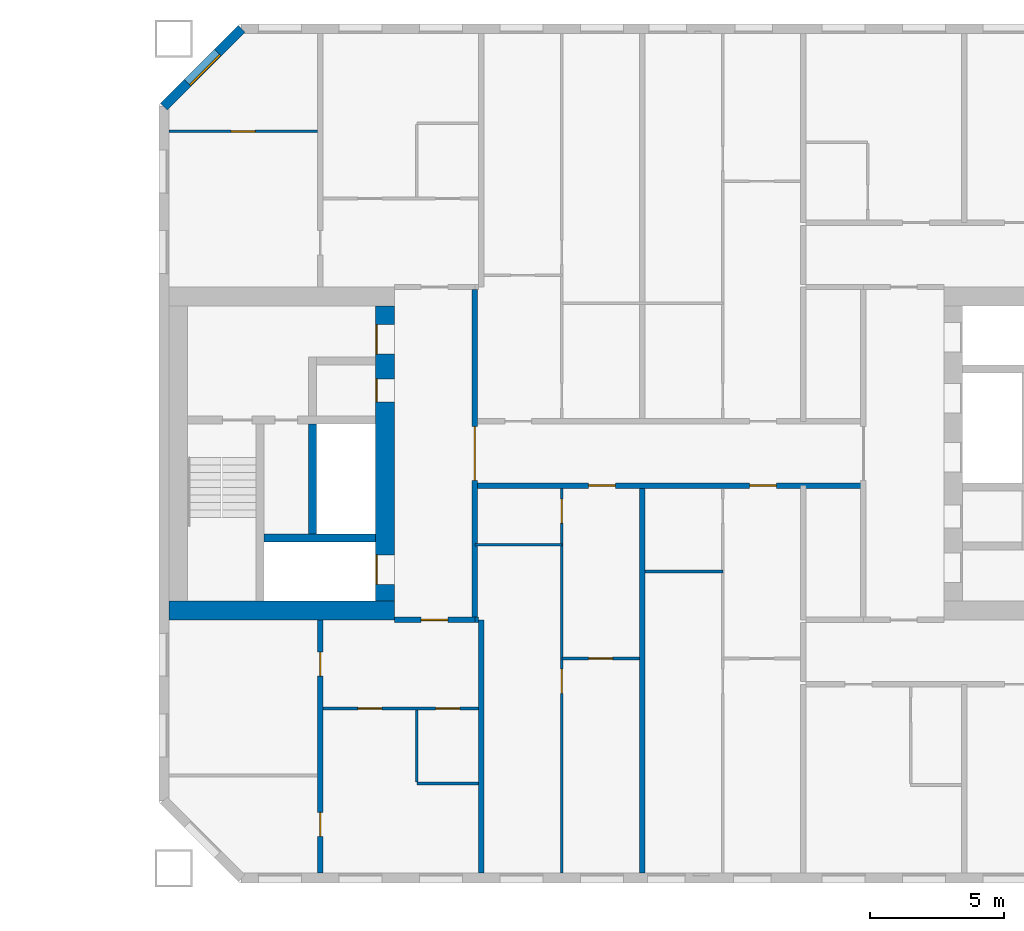
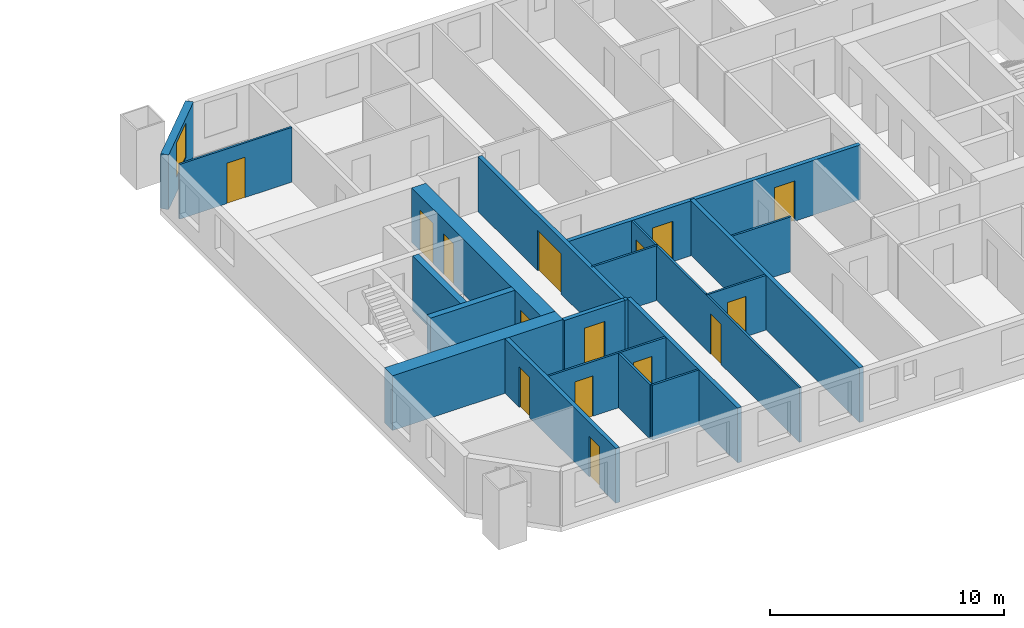
# One storey, part 9 of 16: 20 walls, 15 doors, 1 window, 16 openings.
"""IFC4 building model written with IfcOpenShell, lengths in metres."""

from ifc_helpers import new_model, si_unit, direction, frame, frame_2d, origin, place, context, subcontext, project, spatial, rectangle, extrude, material, layer, layer_set, type_object, element, fill, save


model = new_model("IFC4")

# Units and contexts
model_context = context("Model", 3, precision=1e-05, world=origin(), true_north=direction((0.0, 1.0)))
body_context = subcontext(model_context, "Body", "Model", "MODEL_VIEW")
ifc_project = project(units=[si_unit("LENGTHUNIT", "METRE"), si_unit("AREAUNIT", "SQUARE_METRE"), si_unit("VOLUMEUNIT", "CUBIC_METRE"), si_unit("PLANEANGLEUNIT", "RADIAN"), si_unit("MASSUNIT", "GRAM", prefix="KILO")], contexts=[model_context])

# Site, building, storey
site_placement = place(None, origin())
site = spatial("IfcSite", under=ifc_project, at=site_placement, CompositionType="ELEMENT")
building_placement = place(site_placement, origin())
building = spatial("IfcBuilding", under=site, at=building_placement, Name="Tuart Gate Housing", CompositionType="ELEMENT")
storey_placement = place(building_placement, frame((0.0, 0.0, 87.10009765625)))
storey = spatial("IfcBuildingStorey", under=building, at=storey_placement, Name="L24", CompositionType="ELEMENT", Elevation=87.10009765625)

# Wall, opening, window
ifc_material_1 = material(Name="Brick", Category="masonry")
ifc_layer_1 = layer(ifc_material_1, 0.360107421875)
ifc_layer_set_1 = layer_set([ifc_layer_1], Name="Brick pier and spandrel wall 360")
wall_type_1 = type_object("IfcWallType", Name="Brick pier and spandrel wall 360", PredefinedType="STANDARD", material=ifc_layer_set_1)
wall_1_placement = place(storey_placement, frame((134.07470703125, 85.820068359375, 0.0), z_axis=(0.0, 0.0, 1.0), x_axis=(-0.707106781187, -0.707106781187, 0.0)))
wall_1 = element("IfcWall", 1, at=wall_1_placement, inside=storey, type_object=wall_type_1, Name="External wall B-NW L24", PredefinedType="STANDARD", context=body_context, shape_type="SweptSolid", body=[
    extrude(rectangle(XDim=4.09375, YDim=0.360107421875, at=frame_2d((2.046875, 0.0))), origin(), (0.0, 0.0, 1.0), 2.849853515625),
])
opening_1_placement = place(wall_1_placement, frame((1.2470703125, 0.0, 0.800048828125)))
opening_1 = element("IfcOpeningElement", 2, at=opening_1_placement, cuts=wall_1, Name="Opening W1", PredefinedType="OPENING", context=body_context, shape_type="SweptSolid", body=[
    extrude(rectangle(XDim=1.60009765625, YDim=1.800048828125, at=frame_2d((0.800048828125, 0.89990234375))), frame((0.0, 0.18994140625, 0.0), z_axis=(0.0, -1.0, 0.0), x_axis=(1.0, 0.0, 0.0)), (0.0, 0.0, 1.0), 0.380126953125),
])
ifc_material_2 = material(Name="Aluminium frame with clear glass", Category="aluminium")
window_type = type_object("IfcWindowType", Name="Punched window 1600 x 1800", PartitioningType="SINGLE_PANEL", PredefinedType="WINDOW", material=ifc_material_2)
window_placement = place(opening_1_placement, origin())
window = element("IfcWindow", 3, at=window_placement, inside=storey, type_object=window_type, Name="Window W1", OverallHeight=1.800048828125, OverallWidth=1.60009765625, PartitioningType="SINGLE_PANEL", PredefinedType="WINDOW", context=body_context, shape_type="SweptSolid", body=[
    extrude(rectangle(XDim=1.60009765625, YDim=1.800048828125, at=frame_2d((0.800048828125, 0.89990234375))), frame((0.0, 0.150146484375, 0.0), z_axis=(0.0, -1.0, 0.0), x_axis=(1.0, 0.0, 0.0)), (0.0, 0.0, 1.0), 0.06005859375),
])
fill(opening_1, window)

# Walls
ifc_material_3 = material(Name="Concrete C50", Category="concrete")
ifc_layer_2 = layer(ifc_material_3, 0.300048828125)
ifc_layer_set_2 = layer_set([ifc_layer_2], Name="Core wall 300 C50")
wall_type_2 = type_object("IfcWallType", Name="Core wall 300 C50", PredefinedType="SHEAR", material=ifc_layer_set_2)
wall_2_placement = place(storey_placement, frame((139.06005859375, 66.85009765625, 0.0), z_axis=(0.0, 0.0, 1.0), x_axis=(-1.0, 0.0, 0.0)))
element("IfcWall", 4, at=wall_2_placement, inside=storey, type_object=wall_type_2, Name="Core wall BG.1", PredefinedType="SHEAR", context=body_context, shape_type="SweptSolid", body=[
    extrude(rectangle(XDim=4.150146484375, YDim=0.300048828125, at=frame_2d((2.0751953125, 0.0))), origin(), (0.0, 0.0, 1.0), 2.849853515625),
])
wall_3_placement = place(storey_placement, frame((136.7099609375, 67.0, 0.0), z_axis=(0.0, 0.0, 1.0), x_axis=(0.0, 1.0, 0.0)))
element("IfcWall", 5, at=wall_3_placement, inside=storey, type_object=wall_type_2, Name="Core wall BG.4", PredefinedType="SHEAR", context=body_context, shape_type="SweptSolid", body=[
    extrude(rectangle(XDim=4.10009765625, YDim=0.300048828125, at=frame_2d((2.050048828125, 0.0))), origin(), (0.0, 0.0, 1.0), 2.849853515625),
])

# Wall, openings, doors
ifc_material_4 = material(Name="Concrete C50", Category="concrete")
ifc_layer_3 = layer(ifc_material_4, 0.699951171875)
ifc_layer_set_3 = layer_set([ifc_layer_3], Name="Core wall 700 C50")
wall_type_3 = type_object("IfcWallType", Name="Core wall 700 C50", PredefinedType="SHEAR", material=ifc_layer_set_3)
wall_4_placement = place(storey_placement, frame((139.409912109375, 64.5, 0.0), z_axis=(0.0, 0.0, 1.0), x_axis=(0.0, 1.0, 0.0)))
wall_4 = element("IfcWall", 6, at=wall_4_placement, inside=storey, type_object=wall_type_3, Name="Core wall BG front", PredefinedType="SHEAR", context=body_context, shape_type="SweptSolid", body=[
    extrude(rectangle(XDim=11.0, YDim=0.699951171875, at=frame_2d((5.5, 0.0))), origin(), (0.0, 0.0, 1.0), 2.849853515625),
])
opening_2_placement = place(wall_4_placement, frame((0.625, 0.0, 0.0)))
opening_2 = element("IfcOpeningElement", 7, at=opening_2_placement, cuts=wall_4, Name="Opening LD-FB1", PredefinedType="OPENING", context=body_context, shape_type="SweptSolid", body=[
    extrude(rectangle(XDim=1.10009765625, YDim=2.10009765625, at=frame_2d((0.550048828125, 1.050048828125))), frame((0.0, 0.35986328125, 0.0), z_axis=(0.0, -1.0, 0.0), x_axis=(1.0, 0.0, 0.0)), (0.0, 0.0, 1.0), 0.719970703125),
])
opening_3_placement = place(wall_4_placement, frame((9.199951171875, 0.0, 0.0)))
opening_3 = element("IfcOpeningElement", 8, at=opening_3_placement, cuts=wall_4, Name="Opening D1035", PredefinedType="OPENING", context=body_context, shape_type="SweptSolid", body=[
    extrude(rectangle(XDim=1.10009765625, YDim=2.10009765625, at=frame_2d((0.550048828125, 1.050048828125))), frame((0.0, 0.35986328125, 0.0), z_axis=(0.0, -1.0, 0.0), x_axis=(1.0, 0.0, 0.0)), (0.0, 0.0, 1.0), 0.719970703125),
])
opening_4_placement = place(wall_4_placement, frame((7.425048828125, 0.0, 0.0)))
opening_4 = element("IfcOpeningElement", 9, at=opening_4_placement, cuts=wall_4, Name="Opening D1036", PredefinedType="OPENING", context=body_context, shape_type="SweptSolid", body=[
    extrude(rectangle(XDim=0.85009765625, YDim=2.10009765625, at=frame_2d((0.425048828125, 1.050048828125))), frame((0.0, 0.35986328125, 0.0), z_axis=(0.0, -1.0, 0.0), x_axis=(1.0, 0.0, 0.0)), (0.0, 0.0, 1.0), 0.719970703125),
])
ifc_material_5 = material(Name="Stainless steel", Category="steel")
door_type_1 = type_object("IfcDoorType", Name="Landing door 1100 x 2100", OperationType="DOUBLE_DOOR_SLIDING", PredefinedType="DOOR", material=ifc_material_5)
door_1_placement = place(opening_2_placement, origin())
door_1 = element("IfcDoor", 10, at=door_1_placement, inside=storey, type_object=door_type_1, Name="Lift landing door FB1", OperationType="DOUBLE_DOOR_SLIDING", OverallHeight=2.10009765625, OverallWidth=1.10009765625, PredefinedType="DOOR", context=body_context, shape_type="SweptSolid", body=[
    extrude(rectangle(XDim=1.10009765625, YDim=2.10009765625, at=frame_2d((0.550048828125, 1.050048828125))), frame((0.0, 0.3349609375, 0.0), z_axis=(0.0, -1.0, 0.0), x_axis=(1.0, 0.0, 0.0)), (0.0, 0.0, 1.0), 0.050048828125),
])
fill(opening_2, door_1)
ifc_material_6 = material(Name="Steel fire door", Category="steel")
door_type_2 = type_object("IfcDoorType", Name="Lobby door 1100 x 2100", OperationType="SINGLE_SWING_LEFT", PredefinedType="DOOR", material=ifc_material_6)
door_2_placement = place(opening_3_placement, origin())
door_2 = element("IfcDoor", 11, at=door_2_placement, inside=storey, type_object=door_type_2, Name="Lobby entry door BG.EN", OperationType="SINGLE_SWING_LEFT", OverallHeight=2.10009765625, OverallWidth=1.10009765625, PredefinedType="DOOR", context=body_context, shape_type="SweptSolid", body=[
    extrude(rectangle(XDim=1.10009765625, YDim=2.10009765625, at=frame_2d((0.550048828125, 1.050048828125))), frame((0.0, 0.3349609375, 0.0), z_axis=(0.0, -1.0, 0.0), x_axis=(1.0, 0.0, 0.0)), (0.0, 0.0, 1.0), 0.050048828125),
])
fill(opening_3, door_2)
ifc_material_7 = material(Name="Steel fire door", Category="steel")
door_type_3 = type_object("IfcDoorType", Name="Service door 850 x 2100", OperationType="SINGLE_SWING_LEFT", PredefinedType="DOOR", material=ifc_material_7)
door_3_placement = place(opening_4_placement, origin())
door_3 = element("IfcDoor", 12, at=door_3_placement, inside=storey, type_object=door_type_3, Name="Service room door BG.T1", OperationType="SINGLE_SWING_LEFT", OverallHeight=2.10009765625, OverallWidth=0.85009765625, PredefinedType="DOOR", context=body_context, shape_type="SweptSolid", body=[
    extrude(rectangle(XDim=0.85009765625, YDim=2.10009765625, at=frame_2d((0.425048828125, 1.050048828125))), frame((0.0, 0.3349609375, 0.0), z_axis=(0.0, -1.0, 0.0), x_axis=(1.0, 0.0, 0.0)), (0.0, 0.0, 1.0), 0.050048828125),
])
fill(opening_4, door_3)

# Wall
wall_5_placement = place(storey_placement, frame((139.760009765625, 64.14990234375, 0.0), z_axis=(0.0, 0.0, 1.0), x_axis=(-1.0, 0.0, 0.0)))
element("IfcWall", 13, at=wall_5_placement, inside=storey, type_object=wall_type_3, Name="Core wall BG south", PredefinedType="SHEAR", context=body_context, shape_type="SweptSolid", body=[
    extrude(rectangle(XDim=8.39990234375, YDim=0.699951171875, at=frame_2d((4.199951171875, 0.0))), origin(), (0.0, 0.0, 1.0), 2.849853515625),
])

# Wall, openings, doors
ifc_material_8 = material(Name="Concrete masonry 15 MPa", Category="masonry")
ifc_layer_4 = layer(ifc_material_8, 0.199951171875)
ifc_layer_set_4 = layer_set([ifc_layer_4], Name="Corridor wall masonry 200")
wall_type_4 = type_object("IfcWallType", Name="Corridor wall masonry 200", PredefinedType="PARTITIONING", material=ifc_layer_set_4)
wall_6_placement = place(storey_placement, frame((142.760009765625, 68.800048828125, 0.0), z_axis=(0.0, 0.0, 1.0), x_axis=(1.0, 0.0, 0.0)))
wall_6 = element("IfcWall", 14, at=wall_6_placement, inside=storey, type_object=wall_type_4, Name="Corridor wall masonry 200", PredefinedType="PARTITIONING", context=body_context, shape_type="SweptSolid", body=[
    extrude(rectangle(XDim=14.47998046875, YDim=0.199951171875, at=frame_2d((7.239990234375, 0.0))), origin(), (0.0, 0.0, 1.0), 2.849853515625),
])
opening_5_placement = place(wall_6_placement, frame((4.239990234375, 0.0, 0.0)))
opening_5 = element("IfcOpeningElement", 15, at=opening_5_placement, cuts=wall_6, Name="Opening D1043", PredefinedType="OPENING", context=body_context, shape_type="SweptSolid", body=[
    extrude(rectangle(XDim=1.0, YDim=2.10009765625, at=frame_2d((0.5, 1.050048828125))), frame((0.0, 0.10986328125, 0.0), z_axis=(0.0, -1.0, 0.0), x_axis=(1.0, 0.0, 0.0)), (0.0, 0.0, 1.0), 0.219970703125),
])
opening_6_placement = place(wall_6_placement, frame((10.239990234375, 0.0, 0.0)))
opening_6 = element("IfcOpeningElement", 16, at=opening_6_placement, cuts=wall_6, Name="Opening D1044", PredefinedType="OPENING", context=body_context, shape_type="SweptSolid", body=[
    extrude(rectangle(XDim=1.0, YDim=2.10009765625, at=frame_2d((0.5, 1.050048828125))), frame((0.0, 0.10986328125, 0.0), z_axis=(0.0, -1.0, 0.0), x_axis=(1.0, 0.0, 0.0)), (0.0, 0.0, 1.0), 0.219970703125),
])
ifc_material_9 = material(Name="Timber door leaf in steel frame", Category="steel")
door_type_4 = type_object("IfcDoorType", Name="Flat entrance door 1000 RH", OperationType="SINGLE_SWING_RIGHT", PredefinedType="DOOR", material=ifc_material_9)
door_4_placement = place(opening_5_placement, frame((1.0, 0.0, 0.0), z_axis=(0.0, 0.0, 1.0), x_axis=(-1.0, 0.0, 0.0)))
door_4 = element("IfcDoor", 17, at=door_4_placement, inside=storey, type_object=door_type_4, Name="Flat entrance door", OperationType="SINGLE_SWING_RIGHT", OverallHeight=2.10009765625, OverallWidth=1.0, PredefinedType="DOOR", context=body_context, shape_type="SweptSolid", body=[
    extrude(rectangle(XDim=1.0, YDim=2.10009765625, at=frame_2d((0.5, 1.050048828125))), frame((0.0, 0.025146484375, 0.0), z_axis=(0.0, -1.0, 0.0), x_axis=(1.0, 0.0, 0.0)), (0.0, 0.0, 1.0), 0.050048828125),
])
fill(opening_5, door_4)
door_5_placement = place(opening_6_placement, frame((1.0, 0.0, 0.0), z_axis=(0.0, 0.0, 1.0), x_axis=(-1.0, 0.0, 0.0)))
door_5 = element("IfcDoor", 18, at=door_5_placement, inside=storey, type_object=door_type_4, Name="Flat entrance door", OperationType="SINGLE_SWING_RIGHT", OverallHeight=2.10009765625, OverallWidth=1.0, PredefinedType="DOOR", context=body_context, shape_type="SweptSolid", body=[
    extrude(rectangle(XDim=1.0, YDim=2.10009765625, at=frame_2d((0.5, 1.050048828125))), frame((0.0, 0.025146484375, 0.0), z_axis=(0.0, -1.0, 0.0), x_axis=(1.0, 0.0, 0.0)), (0.0, 0.0, 1.0), 0.050048828125),
])
fill(opening_6, door_5)

# Wall, opening, door
ifc_material_10 = material(Name="Concrete masonry 15 MPa", Category="masonry")
ifc_layer_5 = layer(ifc_material_10, 0.199951171875)
ifc_layer_set_5 = layer_set([ifc_layer_5], Name="Enclosure wall masonry 200")
wall_type_5 = type_object("IfcWallType", Name="Enclosure wall masonry 200", PredefinedType="PARTITIONING", material=ifc_layer_set_5)
wall_7_placement = place(storey_placement, frame((139.760009765625, 63.800048828125, 0.0), z_axis=(0.0, 0.0, 1.0), x_axis=(1.0, 0.0, 0.0)))
wall_7 = element("IfcWall", 19, at=wall_7_placement, inside=storey, type_object=wall_type_5, Name="Enclosure wall masonry 200", PredefinedType="PARTITIONING", context=body_context, shape_type="SweptSolid", body=[
    extrude(rectangle(XDim=3.0, YDim=0.199951171875, at=frame_2d((1.5, 0.0))), origin(), (0.0, 0.0, 1.0), 2.849853515625),
])
opening_7_placement = place(wall_7_placement, frame((1.0, 0.0, 0.0)))
opening_7 = element("IfcOpeningElement", 20, at=opening_7_placement, cuts=wall_7, Name="Opening D1048", PredefinedType="OPENING", context=body_context, shape_type="SweptSolid", body=[
    extrude(rectangle(XDim=1.0, YDim=2.10009765625, at=frame_2d((0.5, 1.050048828125))), frame((0.0, 0.10986328125, 0.0), z_axis=(0.0, -1.0, 0.0), x_axis=(1.0, 0.0, 0.0)), (0.0, 0.0, 1.0), 0.219970703125),
])
ifc_material_11 = material(Name="Timber door leaf in steel frame", Category="steel")
door_type_5 = type_object("IfcDoorType", Name="Flat entrance door 1000", OperationType="SINGLE_SWING_LEFT", PredefinedType="DOOR", material=ifc_material_11)
door_6_placement = place(opening_7_placement, frame((1.0, 0.0, 0.0), z_axis=(0.0, 0.0, 1.0), x_axis=(-1.0, 0.0, 0.0)))
door_6 = element("IfcDoor", 21, at=door_6_placement, inside=storey, type_object=door_type_5, Name="Flat entrance door", OperationType="SINGLE_SWING_LEFT", OverallHeight=2.10009765625, OverallWidth=1.0, PredefinedType="DOOR", context=body_context, shape_type="SweptSolid", body=[
    extrude(rectangle(XDim=1.0, YDim=2.10009765625, at=frame_2d((0.5, 1.050048828125))), frame((0.0, 0.025146484375, 0.0), z_axis=(0.0, -1.0, 0.0), x_axis=(1.0, 0.0, 0.0)), (0.0, 0.0, 1.0), 0.050048828125),
])
fill(opening_7, door_6)

ifc_material_12 = material(Name="Plasterboard partition")
ifc_layer_6 = layer(ifc_material_12, 0.199951171875)
ifc_layer_set_6 = layer_set([ifc_layer_6], Name="Lobby wall 200")
wall_type_6 = type_object("IfcWallType", Name="Lobby wall 200", PredefinedType="PARTITIONING", material=ifc_layer_set_6)
wall_8_placement = place(storey_placement, frame((142.760009765625, 63.89990234375, 0.0), z_axis=(0.0, 0.0, 1.0), x_axis=(0.0, 1.0, 0.0)))
wall_8 = element("IfcWall", 22, at=wall_8_placement, inside=storey, type_object=wall_type_6, Name="Lift lobby wall BG", PredefinedType="PARTITIONING", context=body_context, shape_type="SweptSolid", body=[
    extrude(rectangle(XDim=12.2001953125, YDim=0.199951171875, at=frame_2d((6.10009765625, 0.0))), origin(), (0.0, 0.0, 1.0), 2.849853515625),
])
opening_8_placement = place(wall_8_placement, frame((5.10009765625, 0.0, 0.0)))
opening_8 = element("IfcOpeningElement", 23, at=opening_8_placement, cuts=wall_8, Name="Opening D1037", PredefinedType="OPENING", context=body_context, shape_type="SweptSolid", body=[
    extrude(rectangle(XDim=2.0, YDim=2.10009765625, at=frame_2d((1.0, 1.050048828125))), frame((0.0, 0.10986328125, 0.0), z_axis=(0.0, -1.0, 0.0), x_axis=(1.0, 0.0, 0.0)), (0.0, 0.0, 1.0), 0.219970703125),
])
ifc_material_13 = material(Name="Steel fire door", Category="steel")
door_type_6 = type_object("IfcDoorType", Name="Smoke door 2000 x 2100", OperationType="DOUBLE_DOOR_SINGLE_SWING", PredefinedType="DOOR", material=ifc_material_13)
door_7_placement = place(opening_8_placement, origin())
door_7 = element("IfcDoor", 24, at=door_7_placement, inside=storey, type_object=door_type_6, Name="Lift lobby smoke door BG", OperationType="DOUBLE_DOOR_SINGLE_SWING", OverallHeight=2.10009765625, OverallWidth=2.0, PredefinedType="DOOR", context=body_context, shape_type="SweptSolid", body=[
    extrude(rectangle(XDim=2.0, YDim=2.10009765625, at=frame_2d((1.0, 1.050048828125))), frame((0.0, 0.02490234375, 0.0), z_axis=(0.0, -1.0, 0.0), x_axis=(1.0, 0.0, 0.0)), (0.0, 0.0, 1.0), 0.050048828125),
])
fill(opening_8, door_7)

# Wall
ifc_material_14 = material(Name="Gypsum board on steel studs", Category="steel")
ifc_layer_7 = layer(ifc_material_14, 0.10009765625)
ifc_layer_set_7 = layer_set([ifc_layer_7], Name="Partition 100")
wall_type_7 = type_object("IfcWallType", Name="Partition 100", PredefinedType="PARTITIONING", material=ifc_layer_set_7)
wall_9_placement = place(storey_placement, frame((140.60009765625, 57.699951171875, 0.0), z_axis=(0.0, 0.0, 1.0), x_axis=(1.0, 0.0, 0.0)))
element("IfcWall", 25, at=wall_9_placement, inside=storey, type_object=wall_type_7, Name="Partition 100", PredefinedType="PARTITIONING", context=body_context, shape_type="SweptSolid", body=[
    extrude(rectangle(XDim=2.2998046875, YDim=0.10009765625, at=frame_2d((1.14990234375, 0.0))), origin(), (0.0, 0.0, 1.0), 2.849853515625),
])

# Wall, openings, doors
wall_10_placement = place(storey_placement, frame((137.10009765625, 60.5, 0.0), z_axis=(0.0, 0.0, 1.0), x_axis=(1.0, 0.0, 0.0)))
wall_10 = element("IfcWall", 26, at=wall_10_placement, inside=storey, type_object=wall_type_7, Name="Partition 100", PredefinedType="PARTITIONING", context=body_context, shape_type="SweptSolid", body=[
    extrude(rectangle(XDim=5.7998046875, YDim=0.10009765625, at=frame_2d((2.89990234375, 0.0))), origin(), (0.0, 0.0, 1.0), 2.849853515625),
])
opening_9_placement = place(wall_10_placement, frame((1.300048828125, 0.0, 0.0)))
opening_9 = element("IfcOpeningElement", 27, at=opening_9_placement, cuts=wall_10, Name="Opening D1060", PredefinedType="OPENING", context=body_context, shape_type="SweptSolid", body=[
    extrude(rectangle(XDim=0.89990234375, YDim=2.10009765625, at=frame_2d((0.449951171875, 1.050048828125))), frame((0.0, 0.06005859375, 0.0), z_axis=(0.0, -1.0, 0.0), x_axis=(1.0, 0.0, 0.0)), (0.0, 0.0, 1.0), 0.1201171875),
])
opening_10_placement = place(wall_10_placement, frame((4.199951171875, 0.0, 0.0)))
opening_10 = element("IfcOpeningElement", 28, at=opening_10_placement, cuts=wall_10, Name="Opening D1059", PredefinedType="OPENING", context=body_context, shape_type="SweptSolid", body=[
    extrude(rectangle(XDim=0.89990234375, YDim=2.10009765625, at=frame_2d((0.449951171875, 1.050048828125))), frame((0.0, 0.06005859375, 0.0), z_axis=(0.0, -1.0, 0.0), x_axis=(1.0, 0.0, 0.0)), (0.0, 0.0, 1.0), 0.1201171875),
])
ifc_material_15 = material(Name="Timber door leaf in steel frame", Category="steel")
door_type_7 = type_object("IfcDoorType", Name="Bathroom door 900 RH", OperationType="SINGLE_SWING_RIGHT", PredefinedType="DOOR", material=ifc_material_15)
door_8_placement = place(opening_10_placement, frame((0.89990234375, 0.0, 0.0), z_axis=(0.0, 0.0, 1.0), x_axis=(-1.0, 0.0, 0.0)))
door_8 = element("IfcDoor", 29, at=door_8_placement, inside=storey, type_object=door_type_7, Name="Bathroom door", OperationType="SINGLE_SWING_RIGHT", OverallHeight=2.10009765625, OverallWidth=0.89990234375, PredefinedType="DOOR", context=body_context, shape_type="SweptSolid", body=[
    extrude(rectangle(XDim=0.89990234375, YDim=2.10009765625, at=frame_2d((0.449951171875, 1.050048828125))), frame((0.0, 0.025146484375, 0.0), z_axis=(0.0, -1.0, 0.0), x_axis=(1.0, 0.0, 0.0)), (0.0, 0.0, 1.0), 0.050048828125),
])
fill(opening_10, door_8)
ifc_material_16 = material(Name="Timber door leaf in steel frame", Category="steel")
door_type_8 = type_object("IfcDoorType", Name="Internal door 900", OperationType="SINGLE_SWING_LEFT", PredefinedType="DOOR", material=ifc_material_16)
door_9_placement = place(opening_9_placement, origin())
door_9 = element("IfcDoor", 30, at=door_9_placement, inside=storey, type_object=door_type_8, Name="Internal door", OperationType="SINGLE_SWING_LEFT", OverallHeight=2.10009765625, OverallWidth=0.89990234375, PredefinedType="DOOR", context=body_context, shape_type="SweptSolid", body=[
    extrude(rectangle(XDim=0.89990234375, YDim=2.10009765625, at=frame_2d((0.449951171875, 1.050048828125))), frame((0.0, 0.02490234375, 0.0), z_axis=(0.0, -1.0, 0.0), x_axis=(1.0, 0.0, 0.0)), (0.0, 0.0, 1.0), 0.050048828125),
])
fill(opening_9, door_9)

# Wall, opening, door
wall_11_placement = place(storey_placement, frame((146.0, 62.360107421875, 0.0), z_axis=(0.0, 0.0, 1.0), x_axis=(1.0, 0.0, 0.0)))
wall_11 = element("IfcWall", 31, at=wall_11_placement, inside=storey, type_object=wall_type_7, Name="Partition 100", PredefinedType="PARTITIONING", context=body_context, shape_type="SweptSolid", body=[
    extrude(rectangle(XDim=2.89990234375, YDim=0.10009765625, at=frame_2d((1.449951171875, 0.0))), origin(), (0.0, 0.0, 1.0), 2.849853515625),
])
opening_11_placement = place(wall_11_placement, frame((1.0, 0.0, 0.0)))
opening_11 = element("IfcOpeningElement", 32, at=opening_11_placement, cuts=wall_11, Name="Opening D1050", PredefinedType="OPENING", context=body_context, shape_type="SweptSolid", body=[
    extrude(rectangle(XDim=0.89990234375, YDim=2.10009765625, at=frame_2d((0.449951171875, 1.050048828125))), frame((0.0, 0.06005859375, 0.0), z_axis=(0.0, -1.0, 0.0), x_axis=(1.0, 0.0, 0.0)), (0.0, 0.0, 1.0), 0.1201171875),
])
door_10_placement = place(opening_11_placement, origin())
door_10 = element("IfcDoor", 33, at=door_10_placement, inside=storey, type_object=door_type_8, Name="Internal door", OperationType="SINGLE_SWING_LEFT", OverallHeight=2.10009765625, OverallWidth=0.89990234375, PredefinedType="DOOR", context=body_context, shape_type="SweptSolid", body=[
    extrude(rectangle(XDim=0.89990234375, YDim=2.10009765625, at=frame_2d((0.449951171875, 1.050048828125))), frame((0.0, 0.02490234375, 0.0), z_axis=(0.0, -1.0, 0.0), x_axis=(1.0, 0.0, 0.0)), (0.0, 0.0, 1.0), 0.050048828125),
])
fill(opening_11, door_10)

# Walls
wall_12_placement = place(storey_placement, frame((149.10009765625, 65.60009765625, 0.0), z_axis=(0.0, 0.0, 1.0), x_axis=(1.0, 0.0, 0.0)))
element("IfcWall", 34, at=wall_12_placement, inside=storey, type_object=wall_type_7, Name="Partition 100", PredefinedType="PARTITIONING", context=body_context, shape_type="SweptSolid", body=[
    extrude(rectangle(XDim=2.89990234375, YDim=0.10009765625, at=frame_2d((1.449951171875, 0.0))), origin(), (0.0, 0.0, 1.0), 2.849853515625),
])
wall_13_placement = place(storey_placement, frame((142.760009765625, 66.60009765625, 0.0), z_axis=(0.0, 0.0, 1.0), x_axis=(1.0, 0.0, 0.0)))
element("IfcWall", 35, at=wall_13_placement, inside=storey, type_object=wall_type_7, Name="Partition 100", PredefinedType="PARTITIONING", context=body_context, shape_type="SweptSolid", body=[
    extrude(rectangle(XDim=3.239990234375, YDim=0.10009765625, at=frame_2d((1.6201171875, 0.0))), origin(), (0.0, 0.0, 1.0), 2.849853515625),
])

# Wall, opening, door
wall_14_placement = place(storey_placement, frame((131.360107421875, 82.0, 0.0), z_axis=(0.0, 0.0, 1.0), x_axis=(1.0, 0.0, 0.0)))
wall_14 = element("IfcWall", 36, at=wall_14_placement, inside=storey, type_object=wall_type_7, Name="Partition 100", PredefinedType="PARTITIONING", context=body_context, shape_type="SweptSolid", body=[
    extrude(rectangle(XDim=5.539794921875, YDim=0.10009765625, at=frame_2d((2.77001953125, 0.0))), origin(), (0.0, 0.0, 1.0), 2.849853515625),
])
opening_12_placement = place(wall_14_placement, frame((2.320068359375, 0.0, 0.0)))
opening_12 = element("IfcOpeningElement", 37, at=opening_12_placement, cuts=wall_14, Name="Opening D1013", PredefinedType="OPENING", context=body_context, shape_type="SweptSolid", body=[
    extrude(rectangle(XDim=0.89990234375, YDim=2.10009765625, at=frame_2d((0.449951171875, 1.050048828125))), frame((0.0, 0.06005859375, 0.0), z_axis=(0.0, -1.0, 0.0), x_axis=(1.0, 0.0, 0.0)), (0.0, 0.0, 1.0), 0.1201171875),
])
door_11_placement = place(opening_12_placement, origin())
door_11 = element("IfcDoor", 38, at=door_11_placement, inside=storey, type_object=door_type_8, Name="Internal door", OperationType="SINGLE_SWING_LEFT", OverallHeight=2.10009765625, OverallWidth=0.89990234375, PredefinedType="DOOR", context=body_context, shape_type="SweptSolid", body=[
    extrude(rectangle(XDim=0.89990234375, YDim=2.10009765625, at=frame_2d((0.449951171875, 1.050048828125))), frame((0.0, 0.02490234375, 0.0), z_axis=(0.0, -1.0, 0.0), x_axis=(1.0, 0.0, 0.0)), (0.0, 0.0, 1.0), 0.050048828125),
])
fill(opening_12, door_11)

# Wall
wall_15_placement = place(storey_placement, frame((140.60009765625, 57.75, 0.0), z_axis=(0.0, 0.0, 1.0), x_axis=(0.0, 1.0, 0.0)))
element("IfcWall", 39, at=wall_15_placement, inside=storey, type_object=wall_type_7, Name="Partition 100", PredefinedType="PARTITIONING", context=body_context, shape_type="SweptSolid", body=[
    extrude(rectangle(XDim=2.699951171875, YDim=0.10009765625, at=frame_2d((1.35009765625, 0.0))), origin(), (0.0, 0.0, 1.0), 2.849853515625),
])

# Wall, openings, doors
wall_16_placement = place(storey_placement, frame((146.0, 54.360107421875, 0.0), z_axis=(0.0, 0.0, 1.0), x_axis=(0.0, 1.0, 0.0)))
wall_16 = element("IfcWall", 40, at=wall_16_placement, inside=storey, type_object=wall_type_7, Name="Partition 100", PredefinedType="PARTITIONING", context=body_context, shape_type="SweptSolid", body=[
    extrude(rectangle(XDim=14.33984375, YDim=0.10009765625, at=frame_2d((7.169921875, 0.0))), origin(), (0.0, 0.0, 1.0), 2.849853515625),
])
opening_13_placement = place(wall_16_placement, frame((6.699951171875, 0.0, 0.0)))
opening_13 = element("IfcOpeningElement", 41, at=opening_13_placement, cuts=wall_16, Name="Opening D1053", PredefinedType="OPENING", context=body_context, shape_type="SweptSolid", body=[
    extrude(rectangle(XDim=0.89990234375, YDim=2.10009765625, at=frame_2d((0.449951171875, 1.050048828125))), frame((0.0, 0.06005859375, 0.0), z_axis=(0.0, -1.0, 0.0), x_axis=(1.0, 0.0, 0.0)), (0.0, 0.0, 1.0), 0.1201171875),
])
opening_14_placement = place(wall_16_placement, frame((13.0400390625, 0.0, 0.0)))
opening_14 = element("IfcOpeningElement", 42, at=opening_14_placement, cuts=wall_16, Name="Opening D1052", PredefinedType="OPENING", context=body_context, shape_type="SweptSolid", body=[
    extrude(rectangle(XDim=0.89990234375, YDim=2.10009765625, at=frame_2d((0.449951171875, 1.050048828125))), frame((0.0, 0.06005859375, 0.0), z_axis=(0.0, -1.0, 0.0), x_axis=(1.0, 0.0, 0.0)), (0.0, 0.0, 1.0), 0.1201171875),
])
door_12_placement = place(opening_14_placement, origin())
door_12 = element("IfcDoor", 43, at=door_12_placement, inside=storey, type_object=door_type_7, Name="Bathroom door", OperationType="SINGLE_SWING_RIGHT", OverallHeight=2.10009765625, OverallWidth=0.89990234375, PredefinedType="DOOR", context=body_context, shape_type="SweptSolid", body=[
    extrude(rectangle(XDim=0.89990234375, YDim=2.10009765625, at=frame_2d((0.449951171875, 1.050048828125))), frame((0.0, 0.02490234375, 0.0), z_axis=(0.0, -1.0, 0.0), x_axis=(1.0, 0.0, 0.0)), (0.0, 0.0, 1.0), 0.050048828125),
])
fill(opening_14, door_12)
ifc_material_17 = material(Name="Timber door leaf in steel frame", Category="steel")
door_type_9 = type_object("IfcDoorType", Name="Internal door 900 RH", OperationType="SINGLE_SWING_RIGHT", PredefinedType="DOOR", material=ifc_material_17)
door_13_placement = place(opening_13_placement, origin())
door_13 = element("IfcDoor", 44, at=door_13_placement, inside=storey, type_object=door_type_9, Name="Internal door", OperationType="SINGLE_SWING_RIGHT", OverallHeight=2.10009765625, OverallWidth=0.89990234375, PredefinedType="DOOR", context=body_context, shape_type="SweptSolid", body=[
    extrude(rectangle(XDim=0.89990234375, YDim=2.10009765625, at=frame_2d((0.449951171875, 1.050048828125))), frame((0.0, 0.02490234375, 0.0), z_axis=(0.0, -1.0, 0.0), x_axis=(1.0, 0.0, 0.0)), (0.0, 0.0, 1.0), 0.050048828125),
])
fill(opening_13, door_13)

ifc_material_18 = material(Name="Concrete C40", Category="concrete")
ifc_layer_8 = layer(ifc_material_18, 0.199951171875)
ifc_layer_set_8 = layer_set([ifc_layer_8], Name="Party wall concrete C40 200")
wall_type_8 = type_object("IfcWallType", Name="Party wall concrete C40 200", PredefinedType="SOLIDWALL", material=ifc_layer_set_8)
wall_17_placement = place(storey_placement, frame((137.0, 54.360107421875, 0.0), z_axis=(0.0, 0.0, 1.0), x_axis=(0.0, 1.0, 0.0)))
wall_17 = element("IfcWall", 45, at=wall_17_placement, inside=storey, type_object=wall_type_8, Name="Party wall concrete C40 200", PredefinedType="SOLIDWALL", context=body_context, shape_type="SweptSolid", body=[
    extrude(rectangle(XDim=9.43994140625, YDim=0.199951171875, at=frame_2d((4.719970703125, 0.0))), origin(), (0.0, 0.0, 1.0), 2.849853515625),
])
opening_15_placement = place(wall_17_placement, frame((1.3701171875, 0.0, 0.0)))
opening_15 = element("IfcOpeningElement", 46, at=opening_15_placement, cuts=wall_17, Name="Opening D1064", PredefinedType="OPENING", context=body_context, shape_type="SweptSolid", body=[
    extrude(rectangle(XDim=0.89990234375, YDim=2.10009765625, at=frame_2d((0.449951171875, 1.050048828125))), frame((0.0, 0.10986328125, 0.0), z_axis=(0.0, -1.0, 0.0), x_axis=(1.0, 0.0, 0.0)), (0.0, 0.0, 1.0), 0.219970703125),
])
opening_16_placement = place(wall_17_placement, frame((7.340087890625, 0.0, 0.0)))
opening_16 = element("IfcOpeningElement", 47, at=opening_16_placement, cuts=wall_17, Name="Opening D1065", PredefinedType="OPENING", context=body_context, shape_type="SweptSolid", body=[
    extrude(rectangle(XDim=0.89990234375, YDim=2.10009765625, at=frame_2d((0.449951171875, 1.050048828125))), frame((0.0, 0.10986328125, 0.0), z_axis=(0.0, -1.0, 0.0), x_axis=(1.0, 0.0, 0.0)), (0.0, 0.0, 1.0), 0.219970703125),
])
door_14_placement = place(opening_15_placement, origin())
door_14 = element("IfcDoor", 48, at=door_14_placement, inside=storey, type_object=door_type_8, Name="Internal door", OperationType="SINGLE_SWING_LEFT", OverallHeight=2.10009765625, OverallWidth=0.89990234375, PredefinedType="DOOR", context=body_context, shape_type="SweptSolid", body=[
    extrude(rectangle(XDim=0.89990234375, YDim=2.10009765625, at=frame_2d((0.449951171875, 1.050048828125))), frame((0.0, 0.02490234375, 0.0), z_axis=(0.0, -1.0, 0.0), x_axis=(1.0, 0.0, 0.0)), (0.0, 0.0, 1.0), 0.050048828125),
])
fill(opening_15, door_14)
door_15_placement = place(opening_16_placement, origin())
door_15 = element("IfcDoor", 49, at=door_15_placement, inside=storey, type_object=door_type_9, Name="Internal door", OperationType="SINGLE_SWING_RIGHT", OverallHeight=2.10009765625, OverallWidth=0.89990234375, PredefinedType="DOOR", context=body_context, shape_type="SweptSolid", body=[
    extrude(rectangle(XDim=0.89990234375, YDim=2.10009765625, at=frame_2d((0.449951171875, 1.050048828125))), frame((0.0, 0.02490234375, 0.0), z_axis=(0.0, -1.0, 0.0), x_axis=(1.0, 0.0, 0.0)), (0.0, 0.0, 1.0), 0.050048828125),
])
fill(opening_16, door_15)

# Walls
wall_18_placement = place(storey_placement, frame((143.0, 54.360107421875, 0.0), z_axis=(0.0, 0.0, 1.0), x_axis=(0.0, 1.0, 0.0)))
element("IfcWall", 50, at=wall_18_placement, inside=storey, type_object=wall_type_8, Name="Party wall concrete C40 200", PredefinedType="SOLIDWALL", context=body_context, shape_type="SweptSolid", body=[
    extrude(rectangle(XDim=9.43994140625, YDim=0.199951171875, at=frame_2d((4.719970703125, 0.0))), origin(), (0.0, 0.0, 1.0), 2.849853515625),
])
wall_19_placement = place(storey_placement, frame((149.0, 54.360107421875, 0.0), z_axis=(0.0, 0.0, 1.0), x_axis=(0.0, 1.0, 0.0)))
element("IfcWall", 51, at=wall_19_placement, inside=storey, type_object=wall_type_8, Name="Party wall concrete C40 200", PredefinedType="SOLIDWALL", context=body_context, shape_type="SweptSolid", body=[
    extrude(rectangle(XDim=14.43994140625, YDim=0.199951171875, at=frame_2d((7.219970703125, 0.0))), origin(), (0.0, 0.0, 1.0), 2.849853515625),
])
ifc_material_19 = material(Name="Concrete masonry 15 MPa", Category="masonry")
ifc_layer_9 = layer(ifc_material_19, 0.199951171875)
ifc_layer_set_9 = layer_set([ifc_layer_9], Name="Party wall masonry 200")
wall_type_9 = type_object("IfcWallType", Name="Party wall masonry 200", PredefinedType="PARTITIONING", material=ifc_layer_set_9)
wall_20_placement = place(storey_placement, frame((142.760009765625, 63.800048828125, 0.0), z_axis=(0.0, 0.0, 1.0), x_axis=(1.0, 0.0, 0.0)))
element("IfcWall", 52, at=wall_20_placement, inside=storey, type_object=wall_type_9, Name="Party wall masonry 200", PredefinedType="PARTITIONING", context=body_context, shape_type="SweptSolid", body=[
    extrude(rectangle(XDim=0.139892578125, YDim=0.199951171875, at=frame_2d((0.06982421875, 0.0))), origin(), (0.0, 0.0, 1.0), 2.849853515625),
])

save(model, "model.ifc")
